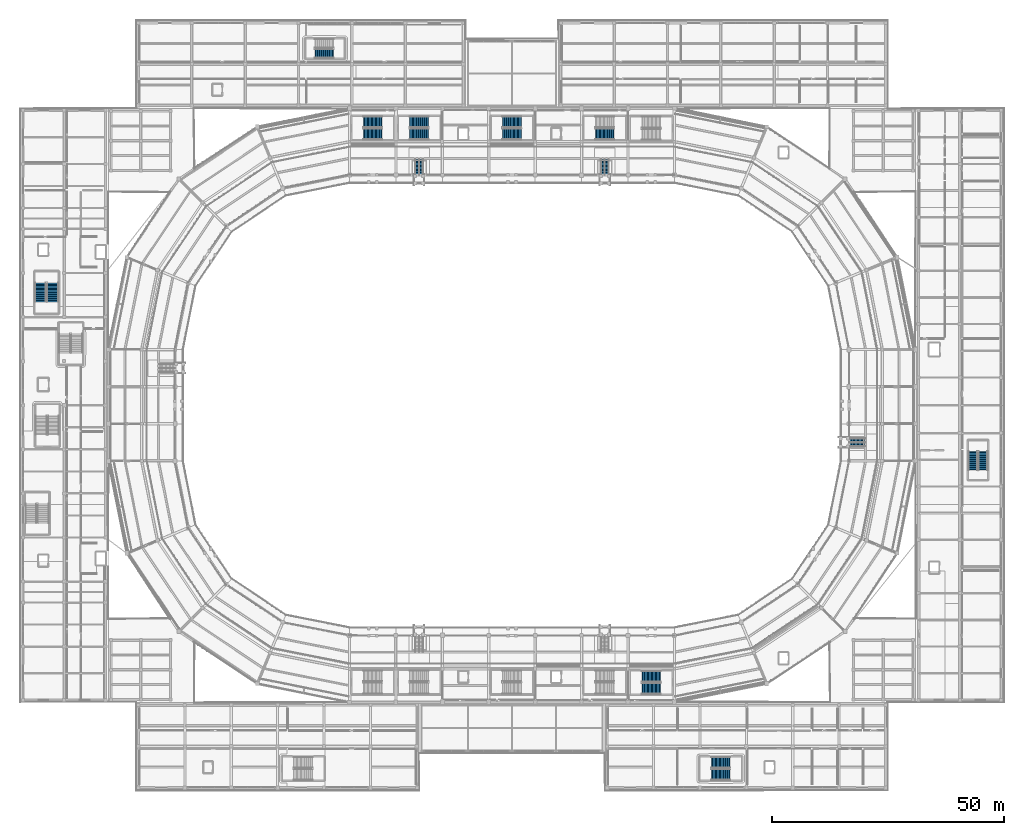
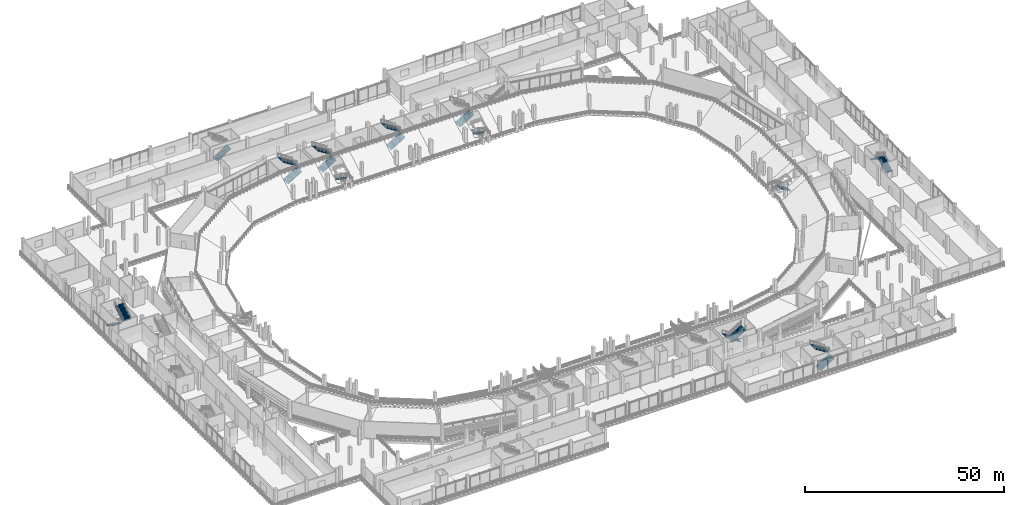
# One storey, part 89 of 127: 19 stair flights, 12 elements without a shape of their own.
"""IFC4 building model written with IfcOpenShell, lengths in metres."""

from ifc_helpers import new_model, si_unit, direction, frame, origin, place, context, subcontext, project, spatial, polyline, outline, extrude, material, type_object, element, aggregate, save


model = new_model("IFC4")

# Units and contexts
model_context = context("Model", 3, precision=1e-05, world=origin(), true_north=direction((0.0, 1.0)))
body_context = subcontext(model_context, "Body", "Model", "MODEL_VIEW")
ifc_project = project(units=[si_unit("LENGTHUNIT", "METRE"), si_unit("AREAUNIT", "SQUARE_METRE"), si_unit("VOLUMEUNIT", "CUBIC_METRE"), si_unit("PLANEANGLEUNIT", "RADIAN"), si_unit("MASSUNIT", "GRAM", prefix="KILO")], contexts=[model_context])

# Site, building, storey
site_placement = place(None, origin())
site = spatial("IfcSite", under=ifc_project, at=site_placement, CompositionType="ELEMENT")
building_placement = place(site_placement, origin())
building = spatial("IfcBuilding", under=site, at=building_placement, Name="Candeia Ridge Stadium", CompositionType="ELEMENT")
storey_placement = place(building_placement, frame((0.0, 0.0, 10.800048828125)))
storey = spatial("IfcBuildingStorey", under=building, at=storey_placement, Name="L02", CompositionType="ELEMENT", Elevation=10.800048828125)

# Stair, stair flights
ifc_material_1 = material(Name="Concrete C40/50", Category="concrete")
stair_type_1 = type_object("IfcStairType", Name="Enclosed Core Half-Turn Stair 2450", PredefinedType="HALF_TURN_STAIR", material=ifc_material_1)
stair_1_placement = place(storey_placement, origin())
stair_1 = element("IfcStair", 1, at=stair_1_placement, inside=storey, type_object=stair_type_1, Name="L02 Enclosed exit stair ST01", PredefinedType="HALF_TURN_STAIR")
ifc_material_2 = material(Name="Precast concrete C40/50", Category="concrete")
stair_flight_type_1 = type_object("IfcStairFlightType", Name="Core Precast Stair Flight 2450", PredefinedType="STRAIGHT", material=ifc_material_2)
stair_flight_1_placement = place(storey_placement, frame((73.949951171875, 141.425048828125, 0.0), z_axis=(0.0, 0.0, 1.0), x_axis=(1.0, 0.0, 0.0)))
stair_flight_1 = element("IfcStairFlight", 2, at=stair_flight_1_placement, type_object=stair_flight_type_1, Name="ST01 flight 1", NumberOfRisers=15, NumberOfTreads=14, PredefinedType="STRAIGHT", RiserHeight=0.18, TreadLength=0.29, context=body_context, shape_type="SweptSolid", body=[
    extrude(outline(polyline([(0.0, 0.0), (0.0, 0.179931640625), (0.2900390625, 0.179931640625), (0.2900390625, 0.360107421875), (0.580078125, 0.360107421875), (0.580078125, 0.5400390625), (0.8701171875, 0.5400390625), (0.8701171875, 0.719970703125), (1.159912109375, 0.719970703125), (1.159912109375, 0.89990234375), (1.449951171875, 0.89990234375), (1.449951171875, 1.080078125), (1.739990234375, 1.080078125), (1.739990234375, 1.260009765625), (2.030029296875, 1.260009765625), (2.030029296875, 1.43994140625), (2.320068359375, 1.43994140625), (2.320068359375, 1.6201171875), (2.610107421875, 1.6201171875), (2.610107421875, 1.800048828125), (2.89990234375, 1.800048828125), (2.89990234375, 1.97998046875), (3.18994140625, 1.97998046875), (3.18994140625, 2.159912109375), (3.47998046875, 2.159912109375), (3.47998046875, 2.340087890625), (3.77001953125, 2.340087890625), (3.77001953125, 2.52001953125), (4.06005859375, 2.52001953125), (4.06005859375, 2.699951171875), (4.06005859375, 2.331787109375), (0.30322265625, 0.0), (0.0, 0.0)])), frame((0.0, 1.22509765625, 0.0), z_axis=(0.0, -1.0, 0.0), x_axis=(1.0, 0.0, 0.0)), (0.0, 0.0, 1.0), 2.449951171875),
])
stair_flight_2_placement = place(storey_placement, frame((78.010009765625, 144.02490234375, 2.699951171875), z_axis=(0.0, 0.0, 1.0), x_axis=(-1.0, 0.0, 0.0)))
stair_flight_2 = element("IfcStairFlight", 3, at=stair_flight_2_placement, type_object=stair_flight_type_1, Name="ST01 flight 2", NumberOfRisers=15, NumberOfTreads=14, PredefinedType="STRAIGHT", RiserHeight=0.18, TreadLength=0.29, context=body_context, shape_type="SweptSolid", body=[
    extrude(outline(polyline([(0.0, 0.0), (0.0, 0.179931640625), (0.2900390625, 0.179931640625), (0.2900390625, 0.360107421875), (0.580078125, 0.360107421875), (0.580078125, 0.5400390625), (0.8701171875, 0.5400390625), (0.8701171875, 0.719970703125), (1.159912109375, 0.719970703125), (1.159912109375, 0.89990234375), (1.449951171875, 0.89990234375), (1.449951171875, 1.080078125), (1.739990234375, 1.080078125), (1.739990234375, 1.260009765625), (2.030029296875, 1.260009765625), (2.030029296875, 1.43994140625), (2.320068359375, 1.43994140625), (2.320068359375, 1.6201171875), (2.610107421875, 1.6201171875), (2.610107421875, 1.800048828125), (2.89990234375, 1.800048828125), (2.89990234375, 1.97998046875), (3.18994140625, 1.97998046875), (3.18994140625, 2.159912109375), (3.47998046875, 2.159912109375), (3.47998046875, 2.340087890625), (3.77001953125, 2.340087890625), (3.77001953125, 2.52001953125), (4.06005859375, 2.52001953125), (4.06005859375, 2.699951171875), (4.06005859375, 2.331787109375), (0.30322265625, 0.0), (0.0, 0.0)])), frame((0.0, 1.22509765625, 0.0), z_axis=(0.0, -1.0, 0.0), x_axis=(1.0, 0.0, 0.0)), (0.0, 0.0, 1.0), 2.449951171875),
])
aggregate(stair_1, [stair_flight_1, stair_flight_2])

stair_2_placement = place(storey_placement, origin())
stair_2 = element("IfcStair", 4, at=stair_2_placement, inside=storey, type_object=stair_type_1, Name="L02 Enclosed exit stair ST03", PredefinedType="HALF_TURN_STAIR")
stair_flight_3_placement = place(storey_placement, frame((138.050048828125, 24.574951171875, 0.0), z_axis=(0.0, 0.0, 1.0), x_axis=(-1.0, 0.0, 0.0)))
stair_flight_3 = element("IfcStairFlight", 5, at=stair_flight_3_placement, type_object=stair_flight_type_1, Name="ST03 flight 1", NumberOfRisers=15, NumberOfTreads=14, PredefinedType="STRAIGHT", RiserHeight=0.18, TreadLength=0.29, context=body_context, shape_type="SweptSolid", body=[
    extrude(outline(polyline([(0.0, 0.0), (0.0, 0.179931640625), (0.2900390625, 0.179931640625), (0.2900390625, 0.360107421875), (0.580078125, 0.360107421875), (0.580078125, 0.5400390625), (0.8701171875, 0.5400390625), (0.8701171875, 0.719970703125), (1.159912109375, 0.719970703125), (1.159912109375, 0.89990234375), (1.449951171875, 0.89990234375), (1.449951171875, 1.080078125), (1.739990234375, 1.080078125), (1.739990234375, 1.260009765625), (2.030029296875, 1.260009765625), (2.030029296875, 1.43994140625), (2.320068359375, 1.43994140625), (2.320068359375, 1.6201171875), (2.610107421875, 1.6201171875), (2.610107421875, 1.800048828125), (2.89990234375, 1.800048828125), (2.89990234375, 1.97998046875), (3.18994140625, 1.97998046875), (3.18994140625, 2.159912109375), (3.47998046875, 2.159912109375), (3.47998046875, 2.340087890625), (3.77001953125, 2.340087890625), (3.77001953125, 2.52001953125), (4.06005859375, 2.52001953125), (4.06005859375, 2.699951171875), (4.06005859375, 2.331787109375), (0.30322265625, 0.0), (0.0, 0.0)])), frame((0.0, 1.22509765625, 0.0), z_axis=(0.0, -1.0, 0.0), x_axis=(1.0, 0.0, 0.0)), (0.0, 0.0, 1.0), 2.449951171875),
])
stair_flight_4_placement = place(storey_placement, frame((133.989990234375, 21.97509765625, 2.699951171875), z_axis=(0.0, 0.0, 1.0), x_axis=(1.0, 0.0, 0.0)))
stair_flight_4 = element("IfcStairFlight", 6, at=stair_flight_4_placement, type_object=stair_flight_type_1, Name="ST03 flight 2", NumberOfRisers=15, NumberOfTreads=14, PredefinedType="STRAIGHT", RiserHeight=0.18, TreadLength=0.29, context=body_context, shape_type="SweptSolid", body=[
    extrude(outline(polyline([(0.0, 0.0), (0.0, 0.179931640625), (0.2900390625, 0.179931640625), (0.2900390625, 0.360107421875), (0.580078125, 0.360107421875), (0.580078125, 0.5400390625), (0.8701171875, 0.5400390625), (0.8701171875, 0.719970703125), (1.159912109375, 0.719970703125), (1.159912109375, 0.89990234375), (1.449951171875, 0.89990234375), (1.449951171875, 1.080078125), (1.739990234375, 1.080078125), (1.739990234375, 1.260009765625), (2.030029296875, 1.260009765625), (2.030029296875, 1.43994140625), (2.320068359375, 1.43994140625), (2.320068359375, 1.6201171875), (2.610107421875, 1.6201171875), (2.610107421875, 1.800048828125), (2.89990234375, 1.800048828125), (2.89990234375, 1.97998046875), (3.18994140625, 1.97998046875), (3.18994140625, 2.159912109375), (3.47998046875, 2.159912109375), (3.47998046875, 2.340087890625), (3.77001953125, 2.340087890625), (3.77001953125, 2.52001953125), (4.06005859375, 2.52001953125), (4.06005859375, 2.699951171875), (4.06005859375, 2.331787109375), (0.30322265625, 0.0), (0.0, 0.0)])), frame((0.0, 1.22509765625, 0.0), z_axis=(0.0, -1.0, 0.0), x_axis=(1.0, 0.0, 0.0)), (0.0, 0.0, 1.0), 2.449951171875),
])
aggregate(stair_2, [stair_flight_3, stair_flight_4])

stair_3_placement = place(storey_placement, origin())
stair_3 = element("IfcStair", 7, at=stair_3_placement, inside=storey, type_object=stair_type_1, Name="L02 Enclosed exit stair ST06", PredefinedType="HALF_TURN_STAIR")
stair_flight_5_placement = place(storey_placement, frame((4.425048828125, 109.35009765625, 0.0), z_axis=(0.0, 0.0, 1.0), x_axis=(0.0, -1.0, 0.0)))
stair_flight_5 = element("IfcStairFlight", 8, at=stair_flight_5_placement, type_object=stair_flight_type_1, Name="ST06 flight 1", NumberOfRisers=15, NumberOfTreads=14, PredefinedType="STRAIGHT", RiserHeight=0.18, TreadLength=0.29, context=body_context, shape_type="SweptSolid", body=[
    extrude(outline(polyline([(0.0, 0.0), (0.0, 0.179931640625), (0.2900390625, 0.179931640625), (0.2900390625, 0.360107421875), (0.580078125, 0.360107421875), (0.580078125, 0.5400390625), (0.8701171875, 0.5400390625), (0.8701171875, 0.719970703125), (1.159912109375, 0.719970703125), (1.159912109375, 0.89990234375), (1.449951171875, 0.89990234375), (1.449951171875, 1.080078125), (1.739990234375, 1.080078125), (1.739990234375, 1.260009765625), (2.030029296875, 1.260009765625), (2.030029296875, 1.43994140625), (2.320068359375, 1.43994140625), (2.320068359375, 1.6201171875), (2.610107421875, 1.6201171875), (2.610107421875, 1.800048828125), (2.89990234375, 1.800048828125), (2.89990234375, 1.97998046875), (3.18994140625, 1.97998046875), (3.18994140625, 2.159912109375), (3.47998046875, 2.159912109375), (3.47998046875, 2.340087890625), (3.77001953125, 2.340087890625), (3.77001953125, 2.52001953125), (4.06005859375, 2.52001953125), (4.06005859375, 2.699951171875), (4.06005859375, 2.331787109375), (0.30322265625, 0.0), (0.0, 0.0)])), frame((0.0, 1.22509765625, 0.0), z_axis=(0.0, -1.0, 0.0), x_axis=(1.0, 0.0, 0.0)), (0.0, 0.0, 1.0), 2.449951171875),
])
stair_flight_6_placement = place(storey_placement, frame((7.02490234375, 105.2900390625, 2.699951171875), z_axis=(0.0, 0.0, 1.0), x_axis=(0.0, 1.0, 0.0)))
stair_flight_6 = element("IfcStairFlight", 9, at=stair_flight_6_placement, type_object=stair_flight_type_1, Name="ST06 flight 2", NumberOfRisers=15, NumberOfTreads=14, PredefinedType="STRAIGHT", RiserHeight=0.18, TreadLength=0.29, context=body_context, shape_type="SweptSolid", body=[
    extrude(outline(polyline([(0.0, 0.0), (0.0, 0.179931640625), (0.2900390625, 0.179931640625), (0.2900390625, 0.360107421875), (0.580078125, 0.360107421875), (0.580078125, 0.5400390625), (0.8701171875, 0.5400390625), (0.8701171875, 0.719970703125), (1.159912109375, 0.719970703125), (1.159912109375, 0.89990234375), (1.449951171875, 0.89990234375), (1.449951171875, 1.080078125), (1.739990234375, 1.080078125), (1.739990234375, 1.260009765625), (2.030029296875, 1.260009765625), (2.030029296875, 1.43994140625), (2.320068359375, 1.43994140625), (2.320068359375, 1.6201171875), (2.610107421875, 1.6201171875), (2.610107421875, 1.800048828125), (2.89990234375, 1.800048828125), (2.89990234375, 1.97998046875), (3.18994140625, 1.97998046875), (3.18994140625, 2.159912109375), (3.47998046875, 2.159912109375), (3.47998046875, 2.340087890625), (3.77001953125, 2.340087890625), (3.77001953125, 2.52001953125), (4.06005859375, 2.52001953125), (4.06005859375, 2.699951171875), (4.06005859375, 2.331787109375), (0.30322265625, 0.0), (0.0, 0.0)])), frame((0.0, 1.22509765625, 0.0), z_axis=(0.0, -1.0, 0.0), x_axis=(1.0, 0.0, 0.0)), (0.0, 0.0, 1.0), 2.449951171875),
])
aggregate(stair_3, [stair_flight_5, stair_flight_6])

stair_4_placement = place(storey_placement, origin())
stair_4 = element("IfcStair", 10, at=stair_4_placement, inside=storey, type_object=stair_type_1, Name="L02 Enclosed exit stair ST09", PredefinedType="HALF_TURN_STAIR")
stair_flight_7_placement = place(storey_placement, frame((83.949951171875, 141.425048828125, 0.0), z_axis=(0.0, 0.0, 1.0), x_axis=(1.0, 0.0, 0.0)))
stair_flight_7 = element("IfcStairFlight", 11, at=stair_flight_7_placement, type_object=stair_flight_type_1, Name="ST09 flight 1", NumberOfRisers=15, NumberOfTreads=14, PredefinedType="STRAIGHT", RiserHeight=0.18, TreadLength=0.29, context=body_context, shape_type="SweptSolid", body=[
    extrude(outline(polyline([(0.0, 0.0), (0.0, 0.179931640625), (0.2900390625, 0.179931640625), (0.2900390625, 0.360107421875), (0.580078125, 0.360107421875), (0.580078125, 0.5400390625), (0.8701171875, 0.5400390625), (0.8701171875, 0.719970703125), (1.159912109375, 0.719970703125), (1.159912109375, 0.89990234375), (1.449951171875, 0.89990234375), (1.449951171875, 1.080078125), (1.739990234375, 1.080078125), (1.739990234375, 1.260009765625), (2.030029296875, 1.260009765625), (2.030029296875, 1.43994140625), (2.320068359375, 1.43994140625), (2.320068359375, 1.6201171875), (2.610107421875, 1.6201171875), (2.610107421875, 1.800048828125), (2.89990234375, 1.800048828125), (2.89990234375, 1.97998046875), (3.18994140625, 1.97998046875), (3.18994140625, 2.159912109375), (3.47998046875, 2.159912109375), (3.47998046875, 2.340087890625), (3.77001953125, 2.340087890625), (3.77001953125, 2.52001953125), (4.06005859375, 2.52001953125), (4.06005859375, 2.699951171875), (4.06005859375, 2.331787109375), (0.30322265625, 0.0), (0.0, 0.0)])), frame((0.0, 1.22509765625, 0.0), z_axis=(0.0, -1.0, 0.0), x_axis=(1.0, 0.0, 0.0)), (0.0, 0.0, 1.0), 2.449951171875),
])
stair_flight_8_placement = place(storey_placement, frame((88.010009765625, 144.02490234375, 2.699951171875), z_axis=(0.0, 0.0, 1.0), x_axis=(-1.0, 0.0, 0.0)))
stair_flight_8 = element("IfcStairFlight", 12, at=stair_flight_8_placement, type_object=stair_flight_type_1, Name="ST09 flight 2", NumberOfRisers=15, NumberOfTreads=14, PredefinedType="STRAIGHT", RiserHeight=0.18, TreadLength=0.29, context=body_context, shape_type="SweptSolid", body=[
    extrude(outline(polyline([(0.0, 0.0), (0.0, 0.179931640625), (0.2900390625, 0.179931640625), (0.2900390625, 0.360107421875), (0.580078125, 0.360107421875), (0.580078125, 0.5400390625), (0.8701171875, 0.5400390625), (0.8701171875, 0.719970703125), (1.159912109375, 0.719970703125), (1.159912109375, 0.89990234375), (1.449951171875, 0.89990234375), (1.449951171875, 1.080078125), (1.739990234375, 1.080078125), (1.739990234375, 1.260009765625), (2.030029296875, 1.260009765625), (2.030029296875, 1.43994140625), (2.320068359375, 1.43994140625), (2.320068359375, 1.6201171875), (2.610107421875, 1.6201171875), (2.610107421875, 1.800048828125), (2.89990234375, 1.800048828125), (2.89990234375, 1.97998046875), (3.18994140625, 1.97998046875), (3.18994140625, 2.159912109375), (3.47998046875, 2.159912109375), (3.47998046875, 2.340087890625), (3.77001953125, 2.340087890625), (3.77001953125, 2.52001953125), (4.06005859375, 2.52001953125), (4.06005859375, 2.699951171875), (4.06005859375, 2.331787109375), (0.30322265625, 0.0), (0.0, 0.0)])), frame((0.0, 1.22509765625, 0.0), z_axis=(0.0, -1.0, 0.0), x_axis=(1.0, 0.0, 0.0)), (0.0, 0.0, 1.0), 2.449951171875),
])
aggregate(stair_4, [stair_flight_7, stair_flight_8])

# Stair, stair flight
stair_5_placement = place(storey_placement, origin())
stair_5 = element("IfcStair", 13, at=stair_5_placement, inside=storey, type_object=stair_type_1, Name="L02 Enclosed exit stair ST10", PredefinedType="HALF_TURN_STAIR")
stair_flight_9_placement = place(storey_placement, frame((123.949951171875, 141.425048828125, 0.0), z_axis=(0.0, 0.0, 1.0), x_axis=(1.0, 0.0, 0.0)))
stair_flight_9 = element("IfcStairFlight", 14, at=stair_flight_9_placement, type_object=stair_flight_type_1, Name="ST10 flight 1", NumberOfRisers=15, NumberOfTreads=14, PredefinedType="STRAIGHT", RiserHeight=0.18, TreadLength=0.29, context=body_context, shape_type="SweptSolid", body=[
    extrude(outline(polyline([(0.0, 0.0), (0.0, 0.179931640625), (0.2900390625, 0.179931640625), (0.2900390625, 0.360107421875), (0.580078125, 0.360107421875), (0.580078125, 0.5400390625), (0.8701171875, 0.5400390625), (0.8701171875, 0.719970703125), (1.159912109375, 0.719970703125), (1.159912109375, 0.89990234375), (1.449951171875, 0.89990234375), (1.449951171875, 1.080078125), (1.739990234375, 1.080078125), (1.739990234375, 1.260009765625), (2.030029296875, 1.260009765625), (2.030029296875, 1.43994140625), (2.320068359375, 1.43994140625), (2.320068359375, 1.6201171875), (2.610107421875, 1.6201171875), (2.610107421875, 1.800048828125), (2.89990234375, 1.800048828125), (2.89990234375, 1.97998046875), (3.18994140625, 1.97998046875), (3.18994140625, 2.159912109375), (3.47998046875, 2.159912109375), (3.47998046875, 2.340087890625), (3.77001953125, 2.340087890625), (3.77001953125, 2.52001953125), (4.06005859375, 2.52001953125), (4.06005859375, 2.699951171875), (4.06005859375, 2.331787109375), (0.30322265625, 0.0), (0.0, 0.0)])), frame((0.0, 1.22509765625, 0.0), z_axis=(0.0, -1.0, 0.0), x_axis=(1.0, 0.0, 0.0)), (0.0, 0.0, 1.0), 2.449951171875),
])
aggregate(stair_5, [stair_flight_9])

# Stair, stair flights
stair_6_placement = place(storey_placement, origin())
stair_6 = element("IfcStair", 15, at=stair_6_placement, inside=storey, type_object=stair_type_1, Name="L02 Enclosed exit stair ST14", PredefinedType="HALF_TURN_STAIR")
stair_flight_10_placement = place(storey_placement, frame((148.949951171875, 3.425048828125, 0.0), z_axis=(0.0, 0.0, 1.0), x_axis=(1.0, 0.0, 0.0)))
stair_flight_10 = element("IfcStairFlight", 16, at=stair_flight_10_placement, type_object=stair_flight_type_1, Name="ST14 flight 1", NumberOfRisers=15, NumberOfTreads=14, PredefinedType="STRAIGHT", RiserHeight=0.18, TreadLength=0.29, context=body_context, shape_type="SweptSolid", body=[
    extrude(outline(polyline([(0.0, 0.0), (0.0, 0.179931640625), (0.2900390625, 0.179931640625), (0.2900390625, 0.360107421875), (0.580078125, 0.360107421875), (0.580078125, 0.5400390625), (0.8701171875, 0.5400390625), (0.8701171875, 0.719970703125), (1.159912109375, 0.719970703125), (1.159912109375, 0.89990234375), (1.449951171875, 0.89990234375), (1.449951171875, 1.080078125), (1.739990234375, 1.080078125), (1.739990234375, 1.260009765625), (2.030029296875, 1.260009765625), (2.030029296875, 1.43994140625), (2.320068359375, 1.43994140625), (2.320068359375, 1.6201171875), (2.610107421875, 1.6201171875), (2.610107421875, 1.800048828125), (2.89990234375, 1.800048828125), (2.89990234375, 1.97998046875), (3.18994140625, 1.97998046875), (3.18994140625, 2.159912109375), (3.47998046875, 2.159912109375), (3.47998046875, 2.340087890625), (3.77001953125, 2.340087890625), (3.77001953125, 2.52001953125), (4.06005859375, 2.52001953125), (4.06005859375, 2.699951171875), (4.06005859375, 2.331787109375), (0.30322265625, 0.0), (0.0, 0.0)])), frame((0.0, 1.22509765625, 0.0), z_axis=(0.0, -1.0, 0.0), x_axis=(1.0, 0.0, 0.0)), (0.0, 0.0, 1.0), 2.449951171875),
])
stair_flight_11_placement = place(storey_placement, frame((153.010009765625, 6.02490234375, 2.699951171875), z_axis=(0.0, 0.0, 1.0), x_axis=(-1.0, 0.0, 0.0)))
stair_flight_11 = element("IfcStairFlight", 17, at=stair_flight_11_placement, type_object=stair_flight_type_1, Name="ST14 flight 2", NumberOfRisers=15, NumberOfTreads=14, PredefinedType="STRAIGHT", RiserHeight=0.18, TreadLength=0.29, context=body_context, shape_type="SweptSolid", body=[
    extrude(outline(polyline([(0.0, 0.0), (0.0, 0.179931640625), (0.2900390625, 0.179931640625), (0.2900390625, 0.360107421875), (0.580078125, 0.360107421875), (0.580078125, 0.5400390625), (0.8701171875, 0.5400390625), (0.8701171875, 0.719970703125), (1.159912109375, 0.719970703125), (1.159912109375, 0.89990234375), (1.449951171875, 0.89990234375), (1.449951171875, 1.080078125), (1.739990234375, 1.080078125), (1.739990234375, 1.260009765625), (2.030029296875, 1.260009765625), (2.030029296875, 1.43994140625), (2.320068359375, 1.43994140625), (2.320068359375, 1.6201171875), (2.610107421875, 1.6201171875), (2.610107421875, 1.800048828125), (2.89990234375, 1.800048828125), (2.89990234375, 1.97998046875), (3.18994140625, 1.97998046875), (3.18994140625, 2.159912109375), (3.47998046875, 2.159912109375), (3.47998046875, 2.340087890625), (3.77001953125, 2.340087890625), (3.77001953125, 2.52001953125), (4.06005859375, 2.52001953125), (4.06005859375, 2.699951171875), (4.06005859375, 2.331787109375), (0.30322265625, 0.0), (0.0, 0.0)])), frame((0.0, 1.22509765625, 0.0), z_axis=(0.0, -1.0, 0.0), x_axis=(1.0, 0.0, 0.0)), (0.0, 0.0, 1.0), 2.449951171875),
])
aggregate(stair_6, [stair_flight_10, stair_flight_11])

stair_7_placement = place(storey_placement, origin())
stair_7 = element("IfcStair", 18, at=stair_7_placement, inside=storey, type_object=stair_type_1, Name="L02 Enclosed exit stair ST17", PredefinedType="HALF_TURN_STAIR")
stair_flight_12_placement = place(storey_placement, frame((103.949951171875, 141.425048828125, 0.0), z_axis=(0.0, 0.0, 1.0), x_axis=(1.0, 0.0, 0.0)))
stair_flight_12 = element("IfcStairFlight", 19, at=stair_flight_12_placement, type_object=stair_flight_type_1, Name="ST17 flight 1", NumberOfRisers=15, NumberOfTreads=14, PredefinedType="STRAIGHT", RiserHeight=0.18, TreadLength=0.29, context=body_context, shape_type="SweptSolid", body=[
    extrude(outline(polyline([(0.0, 0.0), (0.0, 0.179931640625), (0.2900390625, 0.179931640625), (0.2900390625, 0.360107421875), (0.580078125, 0.360107421875), (0.580078125, 0.5400390625), (0.8701171875, 0.5400390625), (0.8701171875, 0.719970703125), (1.159912109375, 0.719970703125), (1.159912109375, 0.89990234375), (1.449951171875, 0.89990234375), (1.449951171875, 1.080078125), (1.739990234375, 1.080078125), (1.739990234375, 1.260009765625), (2.030029296875, 1.260009765625), (2.030029296875, 1.43994140625), (2.320068359375, 1.43994140625), (2.320068359375, 1.6201171875), (2.610107421875, 1.6201171875), (2.610107421875, 1.800048828125), (2.89990234375, 1.800048828125), (2.89990234375, 1.97998046875), (3.18994140625, 1.97998046875), (3.18994140625, 2.159912109375), (3.47998046875, 2.159912109375), (3.47998046875, 2.340087890625), (3.77001953125, 2.340087890625), (3.77001953125, 2.52001953125), (4.06005859375, 2.52001953125), (4.06005859375, 2.699951171875), (4.06005859375, 2.331787109375), (0.30322265625, 0.0), (0.0, 0.0)])), frame((0.0, 1.22509765625, 0.0), z_axis=(0.0, -1.0, 0.0), x_axis=(1.0, 0.0, 0.0)), (0.0, 0.0, 1.0), 2.449951171875),
])
stair_flight_13_placement = place(storey_placement, frame((108.010009765625, 144.02490234375, 2.699951171875), z_axis=(0.0, 0.0, 1.0), x_axis=(-1.0, 0.0, 0.0)))
stair_flight_13 = element("IfcStairFlight", 20, at=stair_flight_13_placement, type_object=stair_flight_type_1, Name="ST17 flight 2", NumberOfRisers=15, NumberOfTreads=14, PredefinedType="STRAIGHT", RiserHeight=0.18, TreadLength=0.29, context=body_context, shape_type="SweptSolid", body=[
    extrude(outline(polyline([(0.0, 0.0), (0.0, 0.179931640625), (0.2900390625, 0.179931640625), (0.2900390625, 0.360107421875), (0.580078125, 0.360107421875), (0.580078125, 0.5400390625), (0.8701171875, 0.5400390625), (0.8701171875, 0.719970703125), (1.159912109375, 0.719970703125), (1.159912109375, 0.89990234375), (1.449951171875, 0.89990234375), (1.449951171875, 1.080078125), (1.739990234375, 1.080078125), (1.739990234375, 1.260009765625), (2.030029296875, 1.260009765625), (2.030029296875, 1.43994140625), (2.320068359375, 1.43994140625), (2.320068359375, 1.6201171875), (2.610107421875, 1.6201171875), (2.610107421875, 1.800048828125), (2.89990234375, 1.800048828125), (2.89990234375, 1.97998046875), (3.18994140625, 1.97998046875), (3.18994140625, 2.159912109375), (3.47998046875, 2.159912109375), (3.47998046875, 2.340087890625), (3.77001953125, 2.340087890625), (3.77001953125, 2.52001953125), (4.06005859375, 2.52001953125), (4.06005859375, 2.699951171875), (4.06005859375, 2.331787109375), (0.30322265625, 0.0), (0.0, 0.0)])), frame((0.0, 1.22509765625, 0.0), z_axis=(0.0, -1.0, 0.0), x_axis=(1.0, 0.0, 0.0)), (0.0, 0.0, 1.0), 2.449951171875),
])
aggregate(stair_7, [stair_flight_12, stair_flight_13])

# Stair, stair flight
ifc_material_3 = material(Name="Precast concrete C45/55", Category="concrete")
stair_type_2 = type_object("IfcStairType", Name="Spectator Vomitory Straight Stair 2200", PredefinedType="STRAIGHT_RUN_STAIR", material=ifc_material_3)
stair_8_placement = place(storey_placement, origin())
stair_8 = element("IfcStair", 21, at=stair_8_placement, inside=storey, type_object=stair_type_2, Name="Vomitory stair VS19", PredefinedType="STRAIGHT_RUN_STAIR")
stair_flight_type_2 = type_object("IfcStairFlightType", Name="Vomitory Precast Stair Flight 2200", PredefinedType="STRAIGHT", material=ifc_material_3)
stair_flight_14_placement = place(storey_placement, frame((126.0, 136.139892578125, 0.0), z_axis=(0.0, 0.0, 1.0), x_axis=(0.0, -1.0, 0.0)))
stair_flight_14 = element("IfcStairFlight", 22, at=stair_flight_14_placement, type_object=stair_flight_type_2, Name="VS19 flight 1", NumberOfRisers=13, NumberOfTreads=12, PredefinedType="STRAIGHT", RiserHeight=0.172308, TreadLength=0.285, context=body_context, shape_type="SweptSolid", body=[
    extrude(outline(polyline([(0.0, 0.0), (0.0, 0.17236328125), (0.284912109375, 0.17236328125), (0.284912109375, 0.3447265625), (0.570068359375, 0.3447265625), (0.570068359375, 0.516845703125), (0.85498046875, 0.516845703125), (0.85498046875, 0.689208984375), (1.139892578125, 0.689208984375), (1.139892578125, 0.861572265625), (1.425048828125, 0.861572265625), (1.425048828125, 1.033935546875), (1.7099609375, 1.033935546875), (1.7099609375, 1.2060546875), (1.9951171875, 1.2060546875), (1.9951171875, 1.37841796875), (2.280029296875, 1.37841796875), (2.280029296875, 1.55078125), (2.56494140625, 1.55078125), (2.56494140625, 1.72314453125), (2.85009765625, 1.72314453125), (2.85009765625, 1.8955078125), (3.135009765625, 1.8955078125), (3.135009765625, 2.067626953125), (3.419921875, 2.067626953125), (3.419921875, 2.239990234375), (3.419921875, 1.857421875), (0.34765625, 0.0), (0.0, 0.0)])), frame((0.0, 0.800048828125, 0.0), z_axis=(0.0, -1.0, 0.0), x_axis=(1.0, 0.0, 0.0)), (0.0, 0.0, 1.0), 1.60009765625),
])
aggregate(stair_8, [stair_flight_14])

stair_9_placement = place(storey_placement, origin())
stair_9 = element("IfcStair", 23, at=stair_9_placement, inside=storey, type_object=stair_type_2, Name="Vomitory stair VS20", PredefinedType="STRAIGHT_RUN_STAIR")
stair_flight_15_placement = place(storey_placement, frame((86.0, 136.139892578125, 0.0), z_axis=(0.0, 0.0, 1.0), x_axis=(0.0, -1.0, 0.0)))
stair_flight_15 = element("IfcStairFlight", 24, at=stair_flight_15_placement, type_object=stair_flight_type_2, Name="VS20 flight 1", NumberOfRisers=13, NumberOfTreads=12, PredefinedType="STRAIGHT", RiserHeight=0.172308, TreadLength=0.285, context=body_context, shape_type="SweptSolid", body=[
    extrude(outline(polyline([(0.0, 0.0), (0.0, 0.17236328125), (0.284912109375, 0.17236328125), (0.284912109375, 0.3447265625), (0.570068359375, 0.3447265625), (0.570068359375, 0.516845703125), (0.85498046875, 0.516845703125), (0.85498046875, 0.689208984375), (1.139892578125, 0.689208984375), (1.139892578125, 0.861572265625), (1.425048828125, 0.861572265625), (1.425048828125, 1.033935546875), (1.7099609375, 1.033935546875), (1.7099609375, 1.2060546875), (1.9951171875, 1.2060546875), (1.9951171875, 1.37841796875), (2.280029296875, 1.37841796875), (2.280029296875, 1.55078125), (2.56494140625, 1.55078125), (2.56494140625, 1.72314453125), (2.85009765625, 1.72314453125), (2.85009765625, 1.8955078125), (3.135009765625, 1.8955078125), (3.135009765625, 2.067626953125), (3.419921875, 2.067626953125), (3.419921875, 2.239990234375), (3.419921875, 1.857421875), (0.34765625, 0.0), (0.0, 0.0)])), frame((0.0, 0.800048828125, 0.0), z_axis=(0.0, -1.0, 0.0), x_axis=(1.0, 0.0, 0.0)), (0.0, 0.0, 1.0), 1.60009765625),
])
aggregate(stair_9, [stair_flight_15])

stair_10_placement = place(storey_placement, origin())
stair_10 = element("IfcStair", 25, at=stair_10_placement, inside=storey, type_object=stair_type_2, Name="Vomitory stair VS24", PredefinedType="STRAIGHT_RUN_STAIR")
stair_flight_16_placement = place(storey_placement, frame((182.139892578125, 75.0, 0.0), z_axis=(0.0, 0.0, 1.0), x_axis=(-1.0, 0.0, 0.0)))
stair_flight_16 = element("IfcStairFlight", 26, at=stair_flight_16_placement, type_object=stair_flight_type_2, Name="VS24 flight 1", NumberOfRisers=13, NumberOfTreads=12, PredefinedType="STRAIGHT", RiserHeight=0.172308, TreadLength=0.285, context=body_context, shape_type="SweptSolid", body=[
    extrude(outline(polyline([(0.0, 0.0), (0.0, 0.17236328125), (0.284912109375, 0.17236328125), (0.284912109375, 0.3447265625), (0.570068359375, 0.3447265625), (0.570068359375, 0.516845703125), (0.85498046875, 0.516845703125), (0.85498046875, 0.689208984375), (1.139892578125, 0.689208984375), (1.139892578125, 0.861572265625), (1.425048828125, 0.861572265625), (1.425048828125, 1.033935546875), (1.7099609375, 1.033935546875), (1.7099609375, 1.2060546875), (1.9951171875, 1.2060546875), (1.9951171875, 1.37841796875), (2.280029296875, 1.37841796875), (2.280029296875, 1.55078125), (2.56494140625, 1.55078125), (2.56494140625, 1.72314453125), (2.85009765625, 1.72314453125), (2.85009765625, 1.8955078125), (3.135009765625, 1.8955078125), (3.135009765625, 2.067626953125), (3.419921875, 2.067626953125), (3.419921875, 2.239990234375), (3.419921875, 1.857421875), (0.34765625, 0.0), (0.0, 0.0)])), frame((0.0, 0.800048828125, 0.0), z_axis=(0.0, -1.0, 0.0), x_axis=(1.0, 0.0, 0.0)), (0.0, 0.0, 1.0), 1.60009765625),
])
aggregate(stair_10, [stair_flight_16])

stair_type_3 = type_object("IfcStairType", Name="Enclosed Wing Half-Turn Stair 2000", PredefinedType="HALF_TURN_STAIR", material=ifc_material_1)
stair_11_placement = place(storey_placement, origin())
stair_11 = element("IfcStair", 27, at=stair_11_placement, inside=storey, type_object=stair_type_3, Name="L02 Enclosed exit stair ST15", PredefinedType="HALF_TURN_STAIR")
stair_flight_type_3 = type_object("IfcStairFlightType", Name="Wing Precast Stair Flight 2000", PredefinedType="STRAIGHT", material=ifc_material_2)
stair_flight_17_placement = place(storey_placement, frame((63.5, 158.800048828125, 0.0), z_axis=(0.0, 0.0, 1.0), x_axis=(1.0, 0.0, 0.0)))
stair_flight_17 = element("IfcStairFlight", 28, at=stair_flight_17_placement, type_object=stair_flight_type_3, Name="ST15 flight 1", NumberOfRisers=15, NumberOfTreads=14, PredefinedType="STRAIGHT", RiserHeight=0.18, TreadLength=0.29, context=body_context, shape_type="SweptSolid", body=[
    extrude(outline(polyline([(0.0, 0.0), (0.0, 0.179931640625), (0.2900390625, 0.179931640625), (0.2900390625, 0.360107421875), (0.580078125, 0.360107421875), (0.580078125, 0.5400390625), (0.8701171875, 0.5400390625), (0.8701171875, 0.719970703125), (1.159912109375, 0.719970703125), (1.159912109375, 0.89990234375), (1.449951171875, 0.89990234375), (1.449951171875, 1.080078125), (1.739990234375, 1.080078125), (1.739990234375, 1.260009765625), (2.030029296875, 1.260009765625), (2.030029296875, 1.43994140625), (2.320068359375, 1.43994140625), (2.320068359375, 1.6201171875), (2.610107421875, 1.6201171875), (2.610107421875, 1.800048828125), (2.89990234375, 1.800048828125), (2.89990234375, 1.97998046875), (3.18994140625, 1.97998046875), (3.18994140625, 2.159912109375), (3.47998046875, 2.159912109375), (3.47998046875, 2.340087890625), (3.77001953125, 2.340087890625), (3.77001953125, 2.52001953125), (4.06005859375, 2.52001953125), (4.06005859375, 2.699951171875), (4.06005859375, 2.331787109375), (0.30322265625, 0.0), (0.0, 0.0)])), frame((0.0, 1.0, 0.0), z_axis=(0.0, -1.0, 0.0), x_axis=(1.0, 0.0, 0.0)), (0.0, 0.0, 1.0), 2.0),
])
aggregate(stair_11, [stair_flight_17])

# Stair, stair flights
stair_12_placement = place(storey_placement, origin())
stair_12 = element("IfcStair", 29, at=stair_12_placement, inside=storey, type_object=stair_type_3, Name="L02 Enclosed exit stair ST16", PredefinedType="HALF_TURN_STAIR")
stair_flight_18_placement = place(storey_placement, frame((207.5, 69.0, 0.0), z_axis=(0.0, 0.0, 1.0), x_axis=(0.0, 1.0, 0.0)))
stair_flight_18 = element("IfcStairFlight", 30, at=stair_flight_18_placement, type_object=stair_flight_type_3, Name="ST16 flight 1", NumberOfRisers=15, NumberOfTreads=14, PredefinedType="STRAIGHT", RiserHeight=0.18, TreadLength=0.29, context=body_context, shape_type="SweptSolid", body=[
    extrude(outline(polyline([(0.0, 0.0), (0.0, 0.179931640625), (0.2900390625, 0.179931640625), (0.2900390625, 0.360107421875), (0.580078125, 0.360107421875), (0.580078125, 0.5400390625), (0.8701171875, 0.5400390625), (0.8701171875, 0.719970703125), (1.159912109375, 0.719970703125), (1.159912109375, 0.89990234375), (1.449951171875, 0.89990234375), (1.449951171875, 1.080078125), (1.739990234375, 1.080078125), (1.739990234375, 1.260009765625), (2.030029296875, 1.260009765625), (2.030029296875, 1.43994140625), (2.320068359375, 1.43994140625), (2.320068359375, 1.6201171875), (2.610107421875, 1.6201171875), (2.610107421875, 1.800048828125), (2.89990234375, 1.800048828125), (2.89990234375, 1.97998046875), (3.18994140625, 1.97998046875), (3.18994140625, 2.159912109375), (3.47998046875, 2.159912109375), (3.47998046875, 2.340087890625), (3.77001953125, 2.340087890625), (3.77001953125, 2.52001953125), (4.06005859375, 2.52001953125), (4.06005859375, 2.699951171875), (4.06005859375, 2.331787109375), (0.30322265625, 0.0), (0.0, 0.0)])), frame((0.0, 1.0, 0.0), z_axis=(0.0, -1.0, 0.0), x_axis=(1.0, 0.0, 0.0)), (0.0, 0.0, 1.0), 2.0),
])
stair_flight_19_placement = place(storey_placement, frame((205.35009765625, 73.06005859375, 2.699951171875), z_axis=(0.0, 0.0, 1.0), x_axis=(0.0, -1.0, 0.0)))
stair_flight_19 = element("IfcStairFlight", 31, at=stair_flight_19_placement, type_object=stair_flight_type_3, Name="ST16 flight 2", NumberOfRisers=15, NumberOfTreads=14, PredefinedType="STRAIGHT", RiserHeight=0.18, TreadLength=0.29, context=body_context, shape_type="SweptSolid", body=[
    extrude(outline(polyline([(0.0, 0.0), (0.0, 0.179931640625), (0.2900390625, 0.179931640625), (0.2900390625, 0.360107421875), (0.580078125, 0.360107421875), (0.580078125, 0.5400390625), (0.8701171875, 0.5400390625), (0.8701171875, 0.719970703125), (1.159912109375, 0.719970703125), (1.159912109375, 0.89990234375), (1.449951171875, 0.89990234375), (1.449951171875, 1.080078125), (1.739990234375, 1.080078125), (1.739990234375, 1.260009765625), (2.030029296875, 1.260009765625), (2.030029296875, 1.43994140625), (2.320068359375, 1.43994140625), (2.320068359375, 1.6201171875), (2.610107421875, 1.6201171875), (2.610107421875, 1.800048828125), (2.89990234375, 1.800048828125), (2.89990234375, 1.97998046875), (3.18994140625, 1.97998046875), (3.18994140625, 2.159912109375), (3.47998046875, 2.159912109375), (3.47998046875, 2.340087890625), (3.77001953125, 2.340087890625), (3.77001953125, 2.52001953125), (4.06005859375, 2.52001953125), (4.06005859375, 2.699951171875), (4.06005859375, 2.331787109375), (0.30322265625, 0.0), (0.0, 0.0)])), frame((0.0, 1.0, 0.0), z_axis=(0.0, -1.0, 0.0), x_axis=(1.0, 0.0, 0.0)), (0.0, 0.0, 1.0), 2.0),
])
aggregate(stair_12, [stair_flight_18, stair_flight_19])

save(model, "model.ifc")
